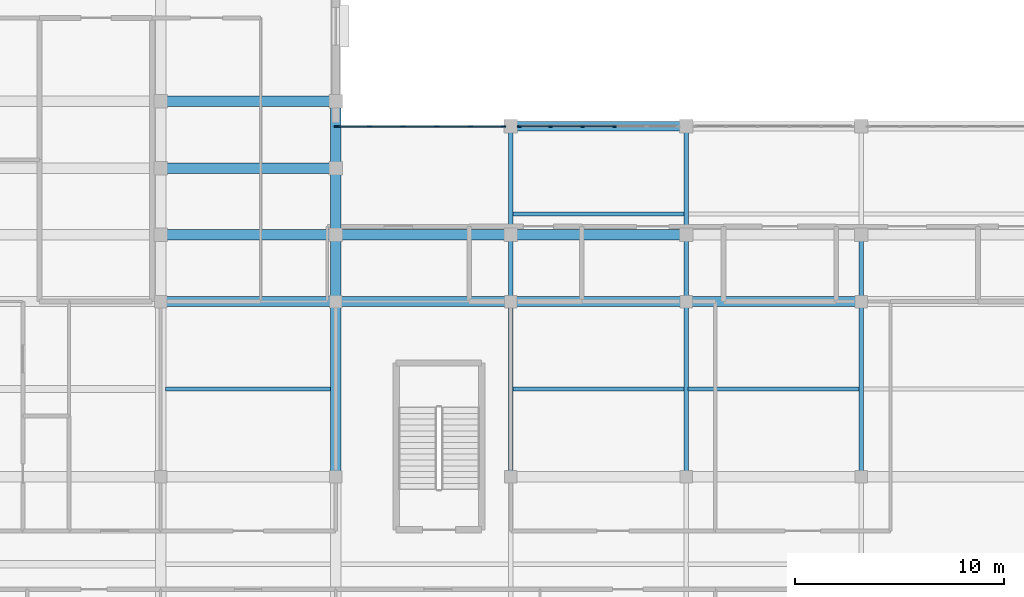
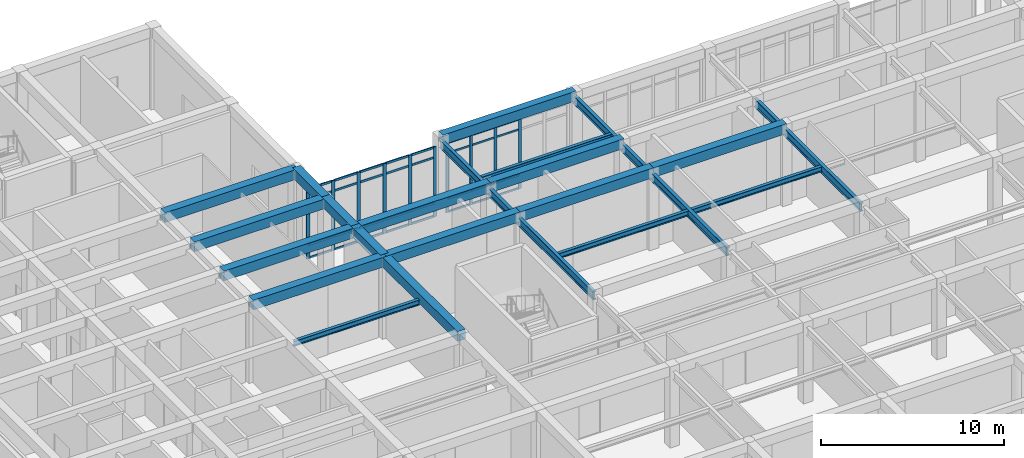
# One storey, part 27 of 89: 42 members, 26 beams, 2 elements without a shape of their own.
"""IFC4 building model written with IfcOpenShell, lengths in metres."""

from ifc_helpers import new_model, si_unit, direction, frame, origin, origin_2d, place, context, subcontext, project, spatial, rectangle, i_section, extrude, material, material_profile, profile_set, type_object, element, aggregate, save


model = new_model("IFC4")

# Units and contexts
model_context = context("Model", 3, precision=1e-05, world=origin(), true_north=direction((0.0, 1.0)))
body_context = subcontext(model_context, "Body", "Model", "MODEL_VIEW")
ifc_project = project(units=[si_unit("LENGTHUNIT", "METRE"), si_unit("AREAUNIT", "SQUARE_METRE"), si_unit("VOLUMEUNIT", "CUBIC_METRE"), si_unit("PLANEANGLEUNIT", "RADIAN"), si_unit("MASSUNIT", "GRAM", prefix="KILO")], contexts=[model_context])

# Site, building, storey
site_placement = place(None, origin())
site = spatial("IfcSite", under=ifc_project, at=site_placement, CompositionType="ELEMENT")
building_placement = place(site_placement, origin())
building = spatial("IfcBuilding", under=site, at=building_placement, Name="Varncliffe General Hospital", CompositionType="ELEMENT")
storey_placement = place(building_placement, frame((0.0, 0.0, 10.800048828125)))
storey = spatial("IfcBuildingStorey", under=building, at=storey_placement, Name="L02", CompositionType="ELEMENT", Elevation=10.800048828125)

# Beams
ifc_material_1 = material(Name="Concrete C35/45 (CSA A23.1 35 MPa)", Category="concrete")
ifc_material_profile_1 = material_profile(ifc_material_1, rectangle(XDim=0.5, YDim=0.64990234375, at=origin_2d()), Name="RC 500x650")
ifc_profile_set_1 = profile_set([ifc_material_profile_1], Name="Concrete C35/45 (CSA A23.1 35 MPa)")
beam_type_1 = type_object("IfcBeamType", Name="Beam B29 (Int RC 500x650)", PredefinedType="BEAM", material=ifc_profile_set_1)
beam_1_placement = place(storey_placement, frame((58.800048828125, 99.60009765625, 5.074951171875), z_axis=(1.0, 0.0, 0.0), x_axis=(0.0, 1.0, 0.0)))
element("IfcBeam", 1, at=beam_1_placement, inside=storey, type_object=beam_type_1, Name="L02 Primary Beam B29-138", PredefinedType="BEAM", context=body_context, shape_type="SweptSolid", body=[
    extrude(rectangle(XDim=0.5, YDim=0.64990234375, at=origin_2d()), origin(), (0.0, 0.0, 1.0), 8.39990234375),
])
beam_2_placement = place(storey_placement, frame((67.199951171875, 99.60009765625, 5.074951171875), z_axis=(1.0, 0.0, 0.0), x_axis=(0.0, 1.0, 0.0)))
element("IfcBeam", 2, at=beam_2_placement, inside=storey, type_object=beam_type_1, Name="L02 Primary Beam B29-139", PredefinedType="BEAM", context=body_context, shape_type="SweptSolid", body=[
    extrude(rectangle(XDim=0.5, YDim=0.64990234375, at=origin_2d()), origin(), (0.0, 0.0, 1.0), 8.400146484375),
])
for number, where, z_axis, x_axis, name in (
    (3, (75.60009765625, 99.60009765625, 5.074951171875), (1.0, 0.0, 0.0), (0.0, 1.0, 0.0), "L02 Primary Beam B29-140"),
    (4, (84.0, 99.60009765625, 5.074951171875), (1.0, 0.0, 0.0), (0.0, 1.0, 0.0), "L02 Primary Beam B29-141"),
    (5, (58.800048828125, 102.800048828125, 5.074951171875), (1.0, 0.0, 0.0), (0.0, 1.0, 0.0), "L02 Primary Beam B29-159"),
):
    element("IfcBeam", number, at=place(storey_placement, frame(where, z_axis=z_axis, x_axis=x_axis)), inside=storey, type_object=beam_type_1, Name=name, PredefinedType="BEAM", context=body_context, shape_type="SweptSolid", body=[
        extrude(rectangle(XDim=0.5, YDim=0.64990234375, at=origin_2d()), origin(), (0.0, 0.0, 1.0), 8.39990234375),
    ])
beam_3_placement = place(storey_placement, frame((67.199951171875, 102.800048828125, 5.074951171875), z_axis=(1.0, 0.0, 0.0), x_axis=(0.0, 1.0, 0.0)))
element("IfcBeam", 6, at=beam_3_placement, inside=storey, type_object=beam_type_1, Name="L02 Primary Beam B29-160", PredefinedType="BEAM", context=body_context, shape_type="SweptSolid", body=[
    extrude(rectangle(XDim=0.5, YDim=0.64990234375, at=origin_2d()), origin(), (0.0, 0.0, 1.0), 8.400146484375),
])
for number, where, z_axis, x_axis, name in (
    (7, (75.60009765625, 102.800048828125, 5.074951171875), (1.0, 0.0, 0.0), (0.0, 1.0, 0.0), "L02 Primary Beam B29-161"),
    (8, (58.800048828125, 106.0, 5.074951171875), (1.0, 0.0, 0.0), (0.0, 1.0, 0.0), "L02 Primary Beam B29-180"),
    (9, (58.800048828125, 109.199951171875, 5.074951171875), (1.0, 0.0, 0.0), (0.0, 1.0, 0.0), "L02 Primary Beam B29-199"),
):
    element("IfcBeam", number, at=place(storey_placement, frame(where, z_axis=z_axis, x_axis=x_axis)), inside=storey, type_object=beam_type_1, Name=name, PredefinedType="BEAM", context=body_context, shape_type="SweptSolid", body=[
        extrude(rectangle(XDim=0.5, YDim=0.64990234375, at=origin_2d()), origin(), (0.0, 0.0, 1.0), 8.39990234375),
    ])
beam_4_placement = place(storey_placement, frame((67.199951171875, 91.199951171875, 5.074951171875), z_axis=(0.0, 1.0, 0.0), x_axis=(-1.0, 0.0, 0.0)))
element("IfcBeam", 10, at=beam_4_placement, inside=storey, type_object=beam_type_1, Name="L02 Primary Beam B29-332", PredefinedType="BEAM", context=body_context, shape_type="SweptSolid", body=[
    extrude(rectangle(XDim=0.5, YDim=0.64990234375, at=origin_2d()), origin(), (0.0, 0.0, 1.0), 8.400146484375),
])
for number, where, z_axis, x_axis, name in (
    (11, (67.199951171875, 99.60009765625, 5.074951171875), (0.0, 1.0, 0.0), (-1.0, 0.0, 0.0), "L02 Primary Beam B29-333"),
    (12, (67.199951171875, 102.800048828125, 5.074951171875), (0.0, 1.0, 0.0), (-1.0, 0.0, 0.0), "L02 Primary Beam B29-334"),
    (13, (67.199951171875, 106.0, 5.074951171875), (0.0, 1.0, 0.0), (-1.0, 0.0, 0.0), "L02 Primary Beam B29-335"),
):
    element("IfcBeam", number, at=place(storey_placement, frame(where, z_axis=z_axis, x_axis=x_axis)), inside=storey, type_object=beam_type_1, Name=name, PredefinedType="BEAM", context=body_context, shape_type="SweptSolid", body=[
        extrude(rectangle(XDim=0.5, YDim=0.64990234375, at=origin_2d()), origin(), (0.0, 0.0, 1.0), 3.199951171875),
    ])
ifc_material_2 = material(Name="Steel S355 (CSA G40.21 350W)", Category="steel")
ifc_material_profile_2 = material_profile(ifc_material_2, i_section(OverallWidth=0.2109375, OverallDepth=0.5390625, WebThickness=0.01171875, FlangeThickness=0.018798828125, FilletRadius=0.013916015625, at=origin_2d()), Name="W530x109")
ifc_profile_set_2 = profile_set([ifc_material_profile_2], Name="Steel S355 (CSA G40.21 350W)")
beam_type_2 = type_object("IfcBeamType", Name="Beam B56 (Int W530x109)", PredefinedType="BEAM", material=ifc_profile_set_2)
beam_5_placement = place(storey_placement, frame((75.60009765625, 91.199951171875, 4.7705078125), z_axis=(0.0, 1.0, 0.0), x_axis=(-1.0, 0.0, 0.0)))
element("IfcBeam", 14, at=beam_5_placement, inside=storey, type_object=beam_type_2, Name="L02 Primary Beam B56-344", PredefinedType="BEAM", context=body_context, shape_type="SweptSolid", body=[
    extrude(i_section(OverallWidth=0.2109375, OverallDepth=0.5390625, WebThickness=0.01171875, FlangeThickness=0.018798828125, FilletRadius=0.013916015625, at=origin_2d()), origin(), (0.0, 0.0, 1.0), 8.400146484375),
])
beam_6_placement = place(storey_placement, frame((75.60009765625, 99.60009765625, 4.7705078125), z_axis=(0.0, 1.0, 0.0), x_axis=(-1.0, 0.0, 0.0)))
element("IfcBeam", 15, at=beam_6_placement, inside=storey, type_object=beam_type_2, Name="L02 Primary Beam B56-345", PredefinedType="BEAM", context=body_context, shape_type="SweptSolid", body=[
    extrude(i_section(OverallWidth=0.2109375, OverallDepth=0.5390625, WebThickness=0.01171875, FlangeThickness=0.018798828125, FilletRadius=0.013916015625, at=origin_2d()), origin(), (0.0, 0.0, 1.0), 3.199951171875),
])
beam_7_placement = place(storey_placement, frame((75.60009765625, 102.800048828125, 4.7705078125), z_axis=(0.0, 1.0, 0.0), x_axis=(-1.0, 0.0, 0.0)))
element("IfcBeam", 16, at=beam_7_placement, inside=storey, type_object=beam_type_2, Name="L02 Primary Beam B56-346", PredefinedType="BEAM", context=body_context, shape_type="SweptSolid", body=[
    extrude(i_section(OverallWidth=0.2109375, OverallDepth=0.5390625, WebThickness=0.01171875, FlangeThickness=0.018798828125, FilletRadius=0.013916015625, at=origin_2d()), origin(), (0.0, 0.0, 1.0), 5.199951171875),
])
beam_8_placement = place(storey_placement, frame((84.0, 91.199951171875, 4.7705078125), z_axis=(0.0, 1.0, 0.0), x_axis=(-1.0, 0.0, 0.0)))
element("IfcBeam", 17, at=beam_8_placement, inside=storey, type_object=beam_type_2, Name="L02 Primary Beam B56-352", PredefinedType="BEAM", context=body_context, shape_type="SweptSolid", body=[
    extrude(i_section(OverallWidth=0.2109375, OverallDepth=0.5390625, WebThickness=0.01171875, FlangeThickness=0.018798828125, FilletRadius=0.013916015625, at=origin_2d()), origin(), (0.0, 0.0, 1.0), 8.400146484375),
])
beam_9_placement = place(storey_placement, frame((84.0, 99.60009765625, 4.7705078125), z_axis=(0.0, 1.0, 0.0), x_axis=(-1.0, 0.0, 0.0)))
element("IfcBeam", 18, at=beam_9_placement, inside=storey, type_object=beam_type_2, Name="L02 Primary Beam B56-353", PredefinedType="BEAM", context=body_context, shape_type="SweptSolid", body=[
    extrude(i_section(OverallWidth=0.2109375, OverallDepth=0.5390625, WebThickness=0.01171875, FlangeThickness=0.018798828125, FilletRadius=0.013916015625, at=origin_2d()), origin(), (0.0, 0.0, 1.0), 3.199951171875),
])
beam_10_placement = place(storey_placement, frame((84.0, 102.800048828125, 4.7705078125), z_axis=(0.0, 1.0, 0.0), x_axis=(-1.0, 0.0, 0.0)))
element("IfcBeam", 19, at=beam_10_placement, inside=storey, type_object=beam_type_2, Name="L02 Primary Beam B56-354", PredefinedType="BEAM", context=body_context, shape_type="SweptSolid", body=[
    extrude(i_section(OverallWidth=0.2109375, OverallDepth=0.5390625, WebThickness=0.01171875, FlangeThickness=0.018798828125, FilletRadius=0.013916015625, at=origin_2d()), origin(), (0.0, 0.0, 1.0), 5.199951171875),
])
beam_11_placement = place(storey_placement, frame((92.39990234375, 91.199951171875, 4.7705078125), z_axis=(0.0, 1.0, 0.0), x_axis=(-1.0, 0.0, 0.0)))
element("IfcBeam", 20, at=beam_11_placement, inside=storey, type_object=beam_type_2, Name="L02 Primary Beam B56-360", PredefinedType="BEAM", context=body_context, shape_type="SweptSolid", body=[
    extrude(i_section(OverallWidth=0.2109375, OverallDepth=0.5390625, WebThickness=0.01171875, FlangeThickness=0.018798828125, FilletRadius=0.013916015625, at=origin_2d()), origin(), (0.0, 0.0, 1.0), 8.400146484375),
])
beam_12_placement = place(storey_placement, frame((92.39990234375, 99.60009765625, 4.7705078125), z_axis=(0.0, 1.0, 0.0), x_axis=(-1.0, 0.0, 0.0)))
element("IfcBeam", 21, at=beam_12_placement, inside=storey, type_object=beam_type_2, Name="L02 Primary Beam B56-361", PredefinedType="BEAM", context=body_context, shape_type="SweptSolid", body=[
    extrude(i_section(OverallWidth=0.2109375, OverallDepth=0.5390625, WebThickness=0.01171875, FlangeThickness=0.018798828125, FilletRadius=0.013916015625, at=origin_2d()), origin(), (0.0, 0.0, 1.0), 3.199951171875),
])

# Curtain wall, members
ifc_material_3 = material(Name="Triple low-E argon insulated vision glazing", Category="glass")
curtain_wall_type_1 = type_object("IfcCurtainWallType", Name="Unitised Glazed Curtain Wall CW15 (7674x4640)", PredefinedType="USERDEFINED", material=ifc_material_3)
curtain_wall_1_placement = place(storey_placement, origin())
curtain_wall_1 = element("IfcCurtainWall", 22, at=curtain_wall_1_placement, inside=storey, type_object=curtain_wall_type_1, Name="L02 Glazed Curtain Wall CW15-112", ObjectType="GLAZED CURTAIN WALL", PredefinedType="USERDEFINED")
ifc_material_4 = material(Name="Dark bronze thermally broken aluminium framing", Category="aluminium")
ifc_material_profile_3 = material_profile(ifc_material_4, rectangle(XDim=0.074951171875, YDim=0.179931640625, at=origin_2d()), Name="ALU 75x180")
ifc_profile_set_3 = profile_set([ifc_material_profile_3], Name="Dark bronze thermally broken aluminium framing")
member_type_1 = type_object("IfcMemberType", Name="Curtain Wall Mullion CM44 (ALU 75x180)", PredefinedType="MULLION", material=ifc_profile_set_3)
member_1_placement = place(storey_placement, frame((76.00048828125, 108.0, 0.0), z_axis=(0.0, 0.0, 1.0), x_axis=(0.0, 1.0, 0.0)))
member_1 = element("IfcMember", 23, at=member_1_placement, type_object=member_type_1, Name="CW15 mullion 1", PredefinedType="MULLION", context=body_context, shape_type="SweptSolid", body=[
    extrude(rectangle(XDim=0.074951171875, YDim=0.179931640625, at=origin_2d()), origin(), (0.0, 0.0, 1.0), 4.639892578125),
])
member_2_placement = place(storey_placement, frame((77.497802734375, 108.0, 0.0), z_axis=(0.0, 0.0, 1.0), x_axis=(0.0, 1.0, 0.0)))
member_2 = element("IfcMember", 24, at=member_2_placement, type_object=member_type_1, Name="CW15 mullion 2", PredefinedType="MULLION", context=body_context, shape_type="SweptSolid", body=[
    extrude(rectangle(XDim=0.074951171875, YDim=0.179931640625, at=origin_2d()), origin(), (0.0, 0.0, 1.0), 4.639892578125),
])
member_3_placement = place(storey_placement, frame((79.03271484375, 108.0, 0.0), z_axis=(0.0, 0.0, 1.0), x_axis=(0.0, 1.0, 0.0)))
member_3 = element("IfcMember", 25, at=member_3_placement, type_object=member_type_1, Name="CW15 mullion 3", PredefinedType="MULLION", context=body_context, shape_type="SweptSolid", body=[
    extrude(rectangle(XDim=0.074951171875, YDim=0.179931640625, at=origin_2d()), origin(), (0.0, 0.0, 1.0), 4.639892578125),
])
member_4_placement = place(storey_placement, frame((80.5673828125, 108.0, 0.0), z_axis=(0.0, 0.0, 1.0), x_axis=(0.0, 1.0, 0.0)))
member_4 = element("IfcMember", 26, at=member_4_placement, type_object=member_type_1, Name="CW15 mullion 4", PredefinedType="MULLION", context=body_context, shape_type="SweptSolid", body=[
    extrude(rectangle(XDim=0.074951171875, YDim=0.179931640625, at=origin_2d()), origin(), (0.0, 0.0, 1.0), 4.639892578125),
])

curtain_wall_type_2 = type_object("IfcCurtainWallType", Name="Unitised Glazed Curtain Wall CW32 (8077x4640)", PredefinedType="USERDEFINED", material=ifc_material_3)
curtain_wall_2_placement = place(storey_placement, origin())
curtain_wall_2 = element("IfcCurtainWall", 27, at=curtain_wall_2_placement, inside=storey, type_object=curtain_wall_type_2, Name="L02 Glazed Curtain Wall CW32-111", ObjectType="GLAZED CURTAIN WALL", PredefinedType="USERDEFINED")
ifc_material_profile_4 = material_profile(ifc_material_4, rectangle(XDim=0.074951171875, YDim=0.219970703125, at=origin_2d()), Name="ALU 75x220")
ifc_profile_set_4 = profile_set([ifc_material_profile_4], Name="Dark bronze thermally broken aluminium framing")
member_type_2 = type_object("IfcMemberType", Name="Curtain Wall Mullion CM74 (ALU 75x220)", PredefinedType="MULLION", material=ifc_profile_set_4)
member_5_placement = place(storey_placement, frame((67.237548828125, 108.0, 0.0), z_axis=(0.0, 0.0, 1.0), x_axis=(0.0, 1.0, 0.0)))
member_5 = element("IfcMember", 28, at=member_5_placement, type_object=member_type_2, Name="CW32 mullion 1", PredefinedType="MULLION", context=body_context, shape_type="SweptSolid", body=[
    extrude(rectangle(XDim=0.074951171875, YDim=0.219970703125, at=origin_2d()), origin(), (0.0, 0.0, 1.0), 4.639892578125),
])
member_6_placement = place(storey_placement, frame((68.8154296875, 108.0, 0.0), z_axis=(0.0, 0.0, 1.0), x_axis=(0.0, 1.0, 0.0)))
member_6 = element("IfcMember", 29, at=member_6_placement, type_object=member_type_2, Name="CW32 mullion 2", PredefinedType="MULLION", context=body_context, shape_type="SweptSolid", body=[
    extrude(rectangle(XDim=0.074951171875, YDim=0.219970703125, at=origin_2d()), origin(), (0.0, 0.0, 1.0), 4.639892578125),
])
member_7_placement = place(storey_placement, frame((70.430908203125, 108.0, 0.0), z_axis=(0.0, 0.0, 1.0), x_axis=(0.0, 1.0, 0.0)))
member_7 = element("IfcMember", 30, at=member_7_placement, type_object=member_type_2, Name="CW32 mullion 3", PredefinedType="MULLION", context=body_context, shape_type="SweptSolid", body=[
    extrude(rectangle(XDim=0.074951171875, YDim=0.219970703125, at=origin_2d()), origin(), (0.0, 0.0, 1.0), 4.639892578125),
])
member_8_placement = place(storey_placement, frame((72.046142578125, 108.0, 0.0), z_axis=(0.0, 0.0, 1.0), x_axis=(0.0, 1.0, 0.0)))
member_8 = element("IfcMember", 31, at=member_8_placement, type_object=member_type_2, Name="CW32 mullion 4", PredefinedType="MULLION", context=body_context, shape_type="SweptSolid", body=[
    extrude(rectangle(XDim=0.074951171875, YDim=0.219970703125, at=origin_2d()), origin(), (0.0, 0.0, 1.0), 4.639892578125),
])
member_9_placement = place(storey_placement, frame((73.66162109375, 108.0, 0.0), z_axis=(0.0, 0.0, 1.0), x_axis=(0.0, 1.0, 0.0)))
member_9 = element("IfcMember", 32, at=member_9_placement, type_object=member_type_2, Name="CW32 mullion 5", PredefinedType="MULLION", context=body_context, shape_type="SweptSolid", body=[
    extrude(rectangle(XDim=0.074951171875, YDim=0.219970703125, at=origin_2d()), origin(), (0.0, 0.0, 1.0), 4.639892578125),
])
member_10_placement = place(storey_placement, frame((75.239501953125, 108.0, 0.0), z_axis=(0.0, 0.0, 1.0), x_axis=(0.0, 1.0, 0.0)))
member_10 = element("IfcMember", 33, at=member_10_placement, type_object=member_type_2, Name="CW32 mullion 6", PredefinedType="MULLION", context=body_context, shape_type="SweptSolid", body=[
    extrude(rectangle(XDim=0.074951171875, YDim=0.219970703125, at=origin_2d()), origin(), (0.0, 0.0, 1.0), 4.639892578125),
])

# Member
ifc_material_profile_5 = material_profile(ifc_material_4, rectangle(XDim=0.06005859375, YDim=0.1201171875, at=origin_2d()), Name="ALU 60x120")
ifc_profile_set_5 = profile_set([ifc_material_profile_5], Name="Dark bronze thermally broken aluminium framing")
member_type_3 = type_object("IfcMemberType", Name="Curtain Wall Transom CT14 (ALU 60x120)", PredefinedType="USERDEFINED", material=ifc_profile_set_5)
member_11_placement = place(storey_placement, frame((76.0380859375, 108.0, 0.030029296875), z_axis=(1.0, 0.0, 0.0), x_axis=(0.0, 1.0, 0.0)))
member_11 = element("IfcMember", 34, at=member_11_placement, type_object=member_type_3, Name="CW15 transom 1.1", ObjectType="TRANSOM", PredefinedType="USERDEFINED", context=body_context, shape_type="SweptSolid", body=[
    extrude(rectangle(XDim=0.06005859375, YDim=0.1201171875, at=origin_2d()), origin(), (0.0, 0.0, 1.0), 1.422119140625),
])

member_12_placement = place(storey_placement, frame((76.0380859375, 108.0, 0.89990234375), z_axis=(1.0, 0.0, 0.0), x_axis=(0.0, 1.0, 0.0)))
member_12 = element("IfcMember", 35, at=member_12_placement, type_object=member_type_3, Name="CW15 transom 1.2", ObjectType="TRANSOM", PredefinedType="USERDEFINED", context=body_context, shape_type="SweptSolid", body=[
    extrude(rectangle(XDim=0.06005859375, YDim=0.1201171875, at=origin_2d()), origin(), (0.0, 0.0, 1.0), 1.422119140625),
])

member_13_placement = place(storey_placement, frame((76.0380859375, 108.0, 3.93994140625), z_axis=(1.0, 0.0, 0.0), x_axis=(0.0, 1.0, 0.0)))
member_13 = element("IfcMember", 36, at=member_13_placement, type_object=member_type_3, Name="CW15 transom 1.3", ObjectType="TRANSOM", PredefinedType="USERDEFINED", context=body_context, shape_type="SweptSolid", body=[
    extrude(rectangle(XDim=0.06005859375, YDim=0.1201171875, at=origin_2d()), origin(), (0.0, 0.0, 1.0), 1.422119140625),
])

member_14_placement = place(storey_placement, frame((76.0380859375, 108.0, 4.60986328125), z_axis=(1.0, 0.0, 0.0), x_axis=(0.0, 1.0, 0.0)))
member_14 = element("IfcMember", 37, at=member_14_placement, type_object=member_type_3, Name="CW15 transom 1.4", ObjectType="TRANSOM", PredefinedType="USERDEFINED", context=body_context, shape_type="SweptSolid", body=[
    extrude(rectangle(XDim=0.06005859375, YDim=0.1201171875, at=origin_2d()), origin(), (0.0, 0.0, 1.0), 1.422119140625),
])

member_15_placement = place(storey_placement, frame((77.535400390625, 108.0, 0.030029296875), z_axis=(1.0, 0.0, 0.0), x_axis=(0.0, 1.0, 0.0)))
member_15 = element("IfcMember", 38, at=member_15_placement, type_object=member_type_3, Name="CW15 transom 2.1", ObjectType="TRANSOM", PredefinedType="USERDEFINED", context=body_context, shape_type="SweptSolid", body=[
    extrude(rectangle(XDim=0.06005859375, YDim=0.1201171875, at=origin_2d()), origin(), (0.0, 0.0, 1.0), 1.459716796875),
])

member_16_placement = place(storey_placement, frame((77.535400390625, 108.0, 0.89990234375), z_axis=(1.0, 0.0, 0.0), x_axis=(0.0, 1.0, 0.0)))
member_16 = element("IfcMember", 39, at=member_16_placement, type_object=member_type_3, Name="CW15 transom 2.2", ObjectType="TRANSOM", PredefinedType="USERDEFINED", context=body_context, shape_type="SweptSolid", body=[
    extrude(rectangle(XDim=0.06005859375, YDim=0.1201171875, at=origin_2d()), origin(), (0.0, 0.0, 1.0), 1.459716796875),
])

member_17_placement = place(storey_placement, frame((77.535400390625, 108.0, 3.93994140625), z_axis=(1.0, 0.0, 0.0), x_axis=(0.0, 1.0, 0.0)))
member_17 = element("IfcMember", 40, at=member_17_placement, type_object=member_type_3, Name="CW15 transom 2.3", ObjectType="TRANSOM", PredefinedType="USERDEFINED", context=body_context, shape_type="SweptSolid", body=[
    extrude(rectangle(XDim=0.06005859375, YDim=0.1201171875, at=origin_2d()), origin(), (0.0, 0.0, 1.0), 1.459716796875),
])

member_18_placement = place(storey_placement, frame((77.535400390625, 108.0, 4.60986328125), z_axis=(1.0, 0.0, 0.0), x_axis=(0.0, 1.0, 0.0)))
member_18 = element("IfcMember", 41, at=member_18_placement, type_object=member_type_3, Name="CW15 transom 2.4", ObjectType="TRANSOM", PredefinedType="USERDEFINED", context=body_context, shape_type="SweptSolid", body=[
    extrude(rectangle(XDim=0.06005859375, YDim=0.1201171875, at=origin_2d()), origin(), (0.0, 0.0, 1.0), 1.459716796875),
])

member_19_placement = place(storey_placement, frame((79.070068359375, 108.0, 0.030029296875), z_axis=(1.0, 0.0, 0.0), x_axis=(0.0, 1.0, 0.0)))
member_19 = element("IfcMember", 42, at=member_19_placement, type_object=member_type_3, Name="CW15 transom 3.1", ObjectType="TRANSOM", PredefinedType="USERDEFINED", context=body_context, shape_type="SweptSolid", body=[
    extrude(rectangle(XDim=0.06005859375, YDim=0.1201171875, at=origin_2d()), origin(), (0.0, 0.0, 1.0), 1.459716796875),
])

member_20_placement = place(storey_placement, frame((79.070068359375, 108.0, 0.89990234375), z_axis=(1.0, 0.0, 0.0), x_axis=(0.0, 1.0, 0.0)))
member_20 = element("IfcMember", 43, at=member_20_placement, type_object=member_type_3, Name="CW15 transom 3.2", ObjectType="TRANSOM", PredefinedType="USERDEFINED", context=body_context, shape_type="SweptSolid", body=[
    extrude(rectangle(XDim=0.06005859375, YDim=0.1201171875, at=origin_2d()), origin(), (0.0, 0.0, 1.0), 1.459716796875),
])

member_21_placement = place(storey_placement, frame((79.070068359375, 108.0, 3.93994140625), z_axis=(1.0, 0.0, 0.0), x_axis=(0.0, 1.0, 0.0)))
member_21 = element("IfcMember", 44, at=member_21_placement, type_object=member_type_3, Name="CW15 transom 3.3", ObjectType="TRANSOM", PredefinedType="USERDEFINED", context=body_context, shape_type="SweptSolid", body=[
    extrude(rectangle(XDim=0.06005859375, YDim=0.1201171875, at=origin_2d()), origin(), (0.0, 0.0, 1.0), 1.459716796875),
])

member_22_placement = place(storey_placement, frame((79.070068359375, 108.0, 4.60986328125), z_axis=(1.0, 0.0, 0.0), x_axis=(0.0, 1.0, 0.0)))
member_22 = element("IfcMember", 45, at=member_22_placement, type_object=member_type_3, Name="CW15 transom 3.4", ObjectType="TRANSOM", PredefinedType="USERDEFINED", context=body_context, shape_type="SweptSolid", body=[
    extrude(rectangle(XDim=0.06005859375, YDim=0.1201171875, at=origin_2d()), origin(), (0.0, 0.0, 1.0), 1.459716796875),
])

aggregate(curtain_wall_1, [member_1, member_2, member_3, member_4, member_11, member_12, member_13, member_14, member_15, member_16, member_17, member_18, member_19, member_20, member_21, member_22])

ifc_material_profile_6 = material_profile(ifc_material_4, rectangle(XDim=0.06494140625, YDim=0.139892578125, at=origin_2d()), Name="ALU 65x140")
ifc_profile_set_6 = profile_set([ifc_material_profile_6], Name="Dark bronze thermally broken aluminium framing")
member_type_4 = type_object("IfcMemberType", Name="Curtain Wall Transom CT69 (ALU 65x140)", PredefinedType="USERDEFINED", material=ifc_profile_set_6)
member_23_placement = place(storey_placement, frame((67.27490234375, 108.0, 0.032470703125), z_axis=(1.0, 0.0, 0.0), x_axis=(0.0, 1.0, 0.0)))
member_23 = element("IfcMember", 46, at=member_23_placement, type_object=member_type_4, Name="CW32 transom 1.1", ObjectType="TRANSOM", PredefinedType="USERDEFINED", context=body_context, shape_type="SweptSolid", body=[
    extrude(rectangle(XDim=0.06494140625, YDim=0.139892578125, at=origin_2d()), origin(), (0.0, 0.0, 1.0), 1.5029296875),
])

member_24_placement = place(storey_placement, frame((67.27490234375, 108.0, 0.89990234375), z_axis=(1.0, 0.0, 0.0), x_axis=(0.0, 1.0, 0.0)))
member_24 = element("IfcMember", 47, at=member_24_placement, type_object=member_type_4, Name="CW32 transom 1.2", ObjectType="TRANSOM", PredefinedType="USERDEFINED", context=body_context, shape_type="SweptSolid", body=[
    extrude(rectangle(XDim=0.06494140625, YDim=0.139892578125, at=origin_2d()), origin(), (0.0, 0.0, 1.0), 1.5029296875),
])

member_25_placement = place(storey_placement, frame((67.27490234375, 108.0, 3.93994140625), z_axis=(1.0, 0.0, 0.0), x_axis=(0.0, 1.0, 0.0)))
member_25 = element("IfcMember", 48, at=member_25_placement, type_object=member_type_4, Name="CW32 transom 1.3", ObjectType="TRANSOM", PredefinedType="USERDEFINED", context=body_context, shape_type="SweptSolid", body=[
    extrude(rectangle(XDim=0.06494140625, YDim=0.139892578125, at=origin_2d()), origin(), (0.0, 0.0, 1.0), 1.5029296875),
])

member_26_placement = place(storey_placement, frame((67.27490234375, 108.0, 4.607421875), z_axis=(1.0, 0.0, 0.0), x_axis=(0.0, 1.0, 0.0)))
member_26 = element("IfcMember", 49, at=member_26_placement, type_object=member_type_4, Name="CW32 transom 1.4", ObjectType="TRANSOM", PredefinedType="USERDEFINED", context=body_context, shape_type="SweptSolid", body=[
    extrude(rectangle(XDim=0.06494140625, YDim=0.139892578125, at=origin_2d()), origin(), (0.0, 0.0, 1.0), 1.5029296875),
])

member_27_placement = place(storey_placement, frame((68.852783203125, 108.0, 0.032470703125), z_axis=(1.0, 0.0, 0.0), x_axis=(0.0, 1.0, 0.0)))
member_27 = element("IfcMember", 50, at=member_27_placement, type_object=member_type_4, Name="CW32 transom 2.1", ObjectType="TRANSOM", PredefinedType="USERDEFINED", context=body_context, shape_type="SweptSolid", body=[
    extrude(rectangle(XDim=0.06494140625, YDim=0.139892578125, at=origin_2d()), origin(), (0.0, 0.0, 1.0), 1.54052734375),
])

member_28_placement = place(storey_placement, frame((68.852783203125, 108.0, 0.89990234375), z_axis=(1.0, 0.0, 0.0), x_axis=(0.0, 1.0, 0.0)))
member_28 = element("IfcMember", 51, at=member_28_placement, type_object=member_type_4, Name="CW32 transom 2.2", ObjectType="TRANSOM", PredefinedType="USERDEFINED", context=body_context, shape_type="SweptSolid", body=[
    extrude(rectangle(XDim=0.06494140625, YDim=0.139892578125, at=origin_2d()), origin(), (0.0, 0.0, 1.0), 1.54052734375),
])

member_29_placement = place(storey_placement, frame((68.852783203125, 108.0, 3.93994140625), z_axis=(1.0, 0.0, 0.0), x_axis=(0.0, 1.0, 0.0)))
member_29 = element("IfcMember", 52, at=member_29_placement, type_object=member_type_4, Name="CW32 transom 2.3", ObjectType="TRANSOM", PredefinedType="USERDEFINED", context=body_context, shape_type="SweptSolid", body=[
    extrude(rectangle(XDim=0.06494140625, YDim=0.139892578125, at=origin_2d()), origin(), (0.0, 0.0, 1.0), 1.54052734375),
])

member_30_placement = place(storey_placement, frame((68.852783203125, 108.0, 4.607421875), z_axis=(1.0, 0.0, 0.0), x_axis=(0.0, 1.0, 0.0)))
member_30 = element("IfcMember", 53, at=member_30_placement, type_object=member_type_4, Name="CW32 transom 2.4", ObjectType="TRANSOM", PredefinedType="USERDEFINED", context=body_context, shape_type="SweptSolid", body=[
    extrude(rectangle(XDim=0.06494140625, YDim=0.139892578125, at=origin_2d()), origin(), (0.0, 0.0, 1.0), 1.54052734375),
])

member_31_placement = place(storey_placement, frame((70.46826171875, 108.0, 0.032470703125), z_axis=(1.0, 0.0, 0.0), x_axis=(0.0, 1.0, 0.0)))
member_31 = element("IfcMember", 54, at=member_31_placement, type_object=member_type_4, Name="CW32 transom 3.1", ObjectType="TRANSOM", PredefinedType="USERDEFINED", context=body_context, shape_type="SweptSolid", body=[
    extrude(rectangle(XDim=0.06494140625, YDim=0.139892578125, at=origin_2d()), origin(), (0.0, 0.0, 1.0), 1.54052734375),
])

member_32_placement = place(storey_placement, frame((70.46826171875, 108.0, 0.89990234375), z_axis=(1.0, 0.0, 0.0), x_axis=(0.0, 1.0, 0.0)))
member_32 = element("IfcMember", 55, at=member_32_placement, type_object=member_type_4, Name="CW32 transom 3.2", ObjectType="TRANSOM", PredefinedType="USERDEFINED", context=body_context, shape_type="SweptSolid", body=[
    extrude(rectangle(XDim=0.06494140625, YDim=0.139892578125, at=origin_2d()), origin(), (0.0, 0.0, 1.0), 1.54052734375),
])

member_33_placement = place(storey_placement, frame((70.46826171875, 108.0, 3.93994140625), z_axis=(1.0, 0.0, 0.0), x_axis=(0.0, 1.0, 0.0)))
member_33 = element("IfcMember", 56, at=member_33_placement, type_object=member_type_4, Name="CW32 transom 3.3", ObjectType="TRANSOM", PredefinedType="USERDEFINED", context=body_context, shape_type="SweptSolid", body=[
    extrude(rectangle(XDim=0.06494140625, YDim=0.139892578125, at=origin_2d()), origin(), (0.0, 0.0, 1.0), 1.54052734375),
])

member_34_placement = place(storey_placement, frame((70.46826171875, 108.0, 4.607421875), z_axis=(1.0, 0.0, 0.0), x_axis=(0.0, 1.0, 0.0)))
member_34 = element("IfcMember", 57, at=member_34_placement, type_object=member_type_4, Name="CW32 transom 3.4", ObjectType="TRANSOM", PredefinedType="USERDEFINED", context=body_context, shape_type="SweptSolid", body=[
    extrude(rectangle(XDim=0.06494140625, YDim=0.139892578125, at=origin_2d()), origin(), (0.0, 0.0, 1.0), 1.54052734375),
])

member_35_placement = place(storey_placement, frame((72.083740234375, 108.0, 0.032470703125), z_axis=(1.0, 0.0, 0.0), x_axis=(0.0, 1.0, 0.0)))
member_35 = element("IfcMember", 58, at=member_35_placement, type_object=member_type_4, Name="CW32 transom 4.1", ObjectType="TRANSOM", PredefinedType="USERDEFINED", context=body_context, shape_type="SweptSolid", body=[
    extrude(rectangle(XDim=0.06494140625, YDim=0.139892578125, at=origin_2d()), origin(), (0.0, 0.0, 1.0), 1.540283203125),
])

member_36_placement = place(storey_placement, frame((72.083740234375, 108.0, 0.89990234375), z_axis=(1.0, 0.0, 0.0), x_axis=(0.0, 1.0, 0.0)))
member_36 = element("IfcMember", 59, at=member_36_placement, type_object=member_type_4, Name="CW32 transom 4.2", ObjectType="TRANSOM", PredefinedType="USERDEFINED", context=body_context, shape_type="SweptSolid", body=[
    extrude(rectangle(XDim=0.06494140625, YDim=0.139892578125, at=origin_2d()), origin(), (0.0, 0.0, 1.0), 1.540283203125),
])

member_37_placement = place(storey_placement, frame((72.083740234375, 108.0, 3.93994140625), z_axis=(1.0, 0.0, 0.0), x_axis=(0.0, 1.0, 0.0)))
member_37 = element("IfcMember", 60, at=member_37_placement, type_object=member_type_4, Name="CW32 transom 4.3", ObjectType="TRANSOM", PredefinedType="USERDEFINED", context=body_context, shape_type="SweptSolid", body=[
    extrude(rectangle(XDim=0.06494140625, YDim=0.139892578125, at=origin_2d()), origin(), (0.0, 0.0, 1.0), 1.540283203125),
])

member_38_placement = place(storey_placement, frame((72.083740234375, 108.0, 4.607421875), z_axis=(1.0, 0.0, 0.0), x_axis=(0.0, 1.0, 0.0)))
member_38 = element("IfcMember", 61, at=member_38_placement, type_object=member_type_4, Name="CW32 transom 4.4", ObjectType="TRANSOM", PredefinedType="USERDEFINED", context=body_context, shape_type="SweptSolid", body=[
    extrude(rectangle(XDim=0.06494140625, YDim=0.139892578125, at=origin_2d()), origin(), (0.0, 0.0, 1.0), 1.540283203125),
])

member_39_placement = place(storey_placement, frame((73.69921875, 108.0, 0.032470703125), z_axis=(1.0, 0.0, 0.0), x_axis=(0.0, 1.0, 0.0)))
member_39 = element("IfcMember", 62, at=member_39_placement, type_object=member_type_4, Name="CW32 transom 5.1", ObjectType="TRANSOM", PredefinedType="USERDEFINED", context=body_context, shape_type="SweptSolid", body=[
    extrude(rectangle(XDim=0.06494140625, YDim=0.139892578125, at=origin_2d()), origin(), (0.0, 0.0, 1.0), 1.502685546875),
])

member_40_placement = place(storey_placement, frame((73.69921875, 108.0, 0.89990234375), z_axis=(1.0, 0.0, 0.0), x_axis=(0.0, 1.0, 0.0)))
member_40 = element("IfcMember", 63, at=member_40_placement, type_object=member_type_4, Name="CW32 transom 5.2", ObjectType="TRANSOM", PredefinedType="USERDEFINED", context=body_context, shape_type="SweptSolid", body=[
    extrude(rectangle(XDim=0.06494140625, YDim=0.139892578125, at=origin_2d()), origin(), (0.0, 0.0, 1.0), 1.502685546875),
])

member_41_placement = place(storey_placement, frame((73.69921875, 108.0, 3.93994140625), z_axis=(1.0, 0.0, 0.0), x_axis=(0.0, 1.0, 0.0)))
member_41 = element("IfcMember", 64, at=member_41_placement, type_object=member_type_4, Name="CW32 transom 5.3", ObjectType="TRANSOM", PredefinedType="USERDEFINED", context=body_context, shape_type="SweptSolid", body=[
    extrude(rectangle(XDim=0.06494140625, YDim=0.139892578125, at=origin_2d()), origin(), (0.0, 0.0, 1.0), 1.502685546875),
])

member_42_placement = place(storey_placement, frame((73.69921875, 108.0, 4.607421875), z_axis=(1.0, 0.0, 0.0), x_axis=(0.0, 1.0, 0.0)))
member_42 = element("IfcMember", 65, at=member_42_placement, type_object=member_type_4, Name="CW32 transom 5.4", ObjectType="TRANSOM", PredefinedType="USERDEFINED", context=body_context, shape_type="SweptSolid", body=[
    extrude(rectangle(XDim=0.06494140625, YDim=0.139892578125, at=origin_2d()), origin(), (0.0, 0.0, 1.0), 1.502685546875),
])

aggregate(curtain_wall_2, [member_5, member_6, member_7, member_8, member_9, member_10, member_23, member_24, member_25, member_26, member_27, member_28, member_29, member_30, member_31, member_32, member_33, member_34, member_35, member_36, member_37, member_38, member_39, member_40, member_41, member_42])

# Beams
ifc_material_profile_7 = material_profile(ifc_material_2, i_section(OverallWidth=0.202880859375, OverallDepth=0.346923828125, WebThickness=0.0078125, FlangeThickness=0.013427734375, FilletRadius=0.010986328125, at=origin_2d()), Name="W360x64")
ifc_profile_set_7 = profile_set([ifc_material_profile_7], Name="Steel S355 (CSA G40.21 350W)")
beam_type_3 = type_object("IfcBeamType", Name="Joist J14 (Int W360x64)", PredefinedType="JOIST", material=ifc_profile_set_7)
beam_13_placement = place(storey_placement, frame((59.048095703125, 95.39990234375, 4.866455078125), z_axis=(1.0, 0.0, 0.0), x_axis=(0.0, 1.0, 0.0)))
element("IfcBeam", 66, at=beam_13_placement, inside=storey, type_object=beam_type_3, Name="L02 Secondary Floor Rib J14-17", PredefinedType="JOIST", context=body_context, shape_type="SweptSolid", body=[
    extrude(i_section(OverallWidth=0.202880859375, OverallDepth=0.346923828125, WebThickness=0.0078125, FlangeThickness=0.013427734375, FilletRadius=0.010986328125, at=origin_2d()), origin(), (0.0, 0.0, 1.0), 7.90380859375),
])
for number, where, z_axis, x_axis, name in (
    (67, (75.70361328125, 95.39990234375, 4.866455078125), (1.0, 0.0, 0.0), (0.0, 1.0, 0.0), "L02 Secondary Floor Rib J14-26"),
    (68, (75.70361328125, 103.800048828125, 4.866455078125), (1.0, 0.0, 0.0), (0.0, 1.0, 0.0), "L02 Secondary Floor Rib J14-27"),
    (69, (84.103515625, 95.39990234375, 4.866455078125), (1.0, 0.0, 0.0), (0.0, 1.0, 0.0), "L02 Secondary Floor Rib J14-32"),
):
    element("IfcBeam", number, at=place(storey_placement, frame(where, z_axis=z_axis, x_axis=x_axis)), inside=storey, type_object=beam_type_3, Name=name, PredefinedType="JOIST", context=body_context, shape_type="SweptSolid", body=[
        extrude(i_section(OverallWidth=0.202880859375, OverallDepth=0.346923828125, WebThickness=0.0078125, FlangeThickness=0.013427734375, FilletRadius=0.010986328125, at=origin_2d()), origin(), (0.0, 0.0, 1.0), 8.19287109375),
    ])
ifc_material_profile_8 = material_profile(ifc_material_1, rectangle(XDim=0.449951171875, YDim=0.64990234375, at=origin_2d()), Name="RC 450x650")
ifc_profile_set_8 = profile_set([ifc_material_profile_8], Name="Concrete C35/45 (CSA A23.1 35 MPa)")
beam_type_4 = type_object("IfcBeamType", Name="Spandrel SP38 (Ext RC 450x650B)", PredefinedType="SPANDREL", material=ifc_profile_set_8)
beam_14_placement = place(storey_placement, frame((75.60009765625, 108.0, 5.074951171875), z_axis=(1.0, 0.0, 0.0), x_axis=(0.0, 1.0, 0.0)))
element("IfcBeam", 70, at=beam_14_placement, inside=storey, type_object=beam_type_4, Name="L02 Spandrel Beam SP38-189", PredefinedType="SPANDREL", context=body_context, shape_type="SweptSolid", body=[
    extrude(rectangle(XDim=0.449951171875, YDim=0.64990234375, at=origin_2d()), origin(), (0.0, 0.0, 1.0), 8.39990234375),
])

save(model, "model.ifc")
